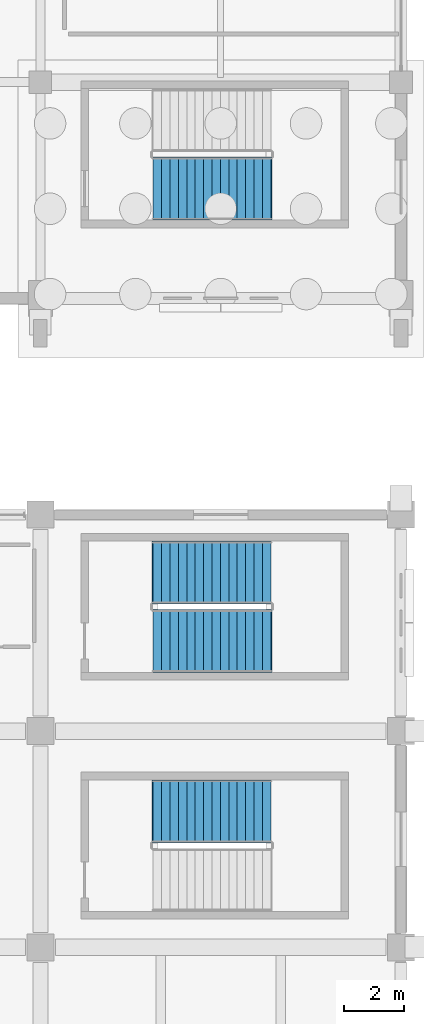
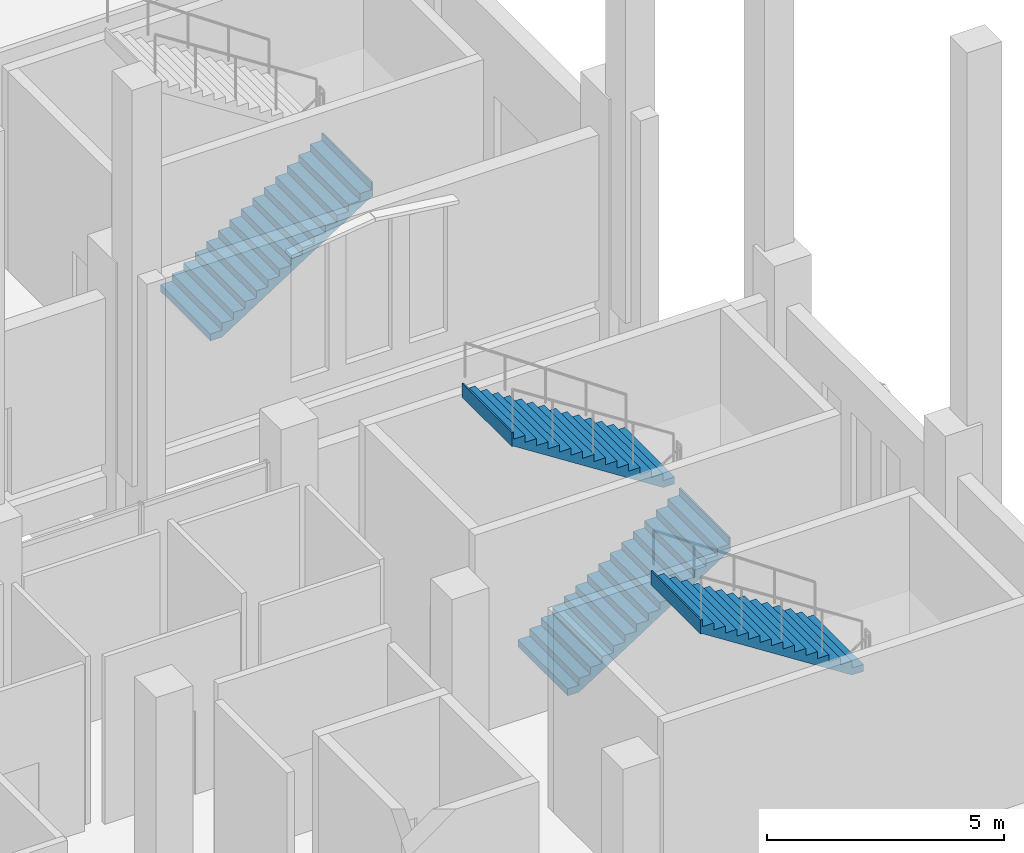
# One storey, part 164 of 192: 4 stair flights, 3 elements without a shape of their own.
"""IFC4 building model written with IfcOpenShell, lengths in metres."""

from ifc_helpers import new_model, si_unit, direction, frame, origin, place, context, subcontext, project, spatial, triangles, material, type_object, element, aggregate, save


model = new_model("IFC4")

# Units and contexts
model_context = context("Model", 3, precision=1e-05, world=origin(), true_north=direction((0.0, 1.0)))
body_context = subcontext(model_context, "Body", "Model", "MODEL_VIEW")
ifc_project = project(units=[si_unit("LENGTHUNIT", "METRE"), si_unit("AREAUNIT", "SQUARE_METRE"), si_unit("VOLUMEUNIT", "CUBIC_METRE"), si_unit("PLANEANGLEUNIT", "RADIAN"), si_unit("MASSUNIT", "GRAM", prefix="KILO")], contexts=[model_context])

# Site, building, storey
site_placement = place(None, origin())
site = spatial("IfcSite", under=ifc_project, at=site_placement, CompositionType="ELEMENT")
building_placement = place(site_placement, origin())
building = spatial("IfcBuilding", under=site, at=building_placement, Name="Cendralis Lancet Convention Centre", CompositionType="ELEMENT")
storey_placement = place(building_placement, origin())
storey = spatial("IfcBuildingStorey", under=building, at=storey_placement, Name="L00", CompositionType="ELEMENT", Elevation=0.0)

# Stair, stair flight
ifc_material = material(Name="Concrete G35 (C35/45)", Category="concrete")
stair_type = type_object("IfcStairType", Name="ARC-ST-CORE", PredefinedType="HALF_TURN_STAIR", material=ifc_material)
stair_1_placement = place(storey_placement, origin())
stair_1 = element("IfcStair", 1, at=stair_1_placement, inside=storey, type_object=stair_type, Name="L00 Protected Exit Stair ST-09", PredefinedType="HALF_TURN_STAIR")
stair_flight_type = type_object("IfcStairFlightType", Name="ARC-SF-CORE", PredefinedType="STRAIGHT", material=ifc_material)
stair_flight_1_placement = place(storey_placement, frame((200.550048828125, 46.85009765625, 0.0), z_axis=(0.0, 0.0, 1.0), x_axis=(1.0, 0.0, 0.0)))
stair_flight_1 = element("IfcStairFlight", 2, at=stair_flight_1_placement, type_object=stair_flight_type, Name="ST-09 flight 1", NumberOfRisers=15, NumberOfTreads=14, PredefinedType="STRAIGHT", RiserHeight=0.18, TreadLength=0.28, context=body_context, shape_type="Tessellation", body=[
    triangles([(0.0, 0.0, 0.09), (0.0, 1.050049, 0.0), (0.0, -1.050049, 0.0), (0.0, -1.050049, 0.18), (0.0, 1.050049, 0.18), (0.138604, 0.0, 0.18), (0.277208, -1.050049, 0.18), (0.277208, 1.050049, 0.18), (0.138604, 0.0, 0.0), (0.277208, -1.050049, 0.0), (0.277208, 1.050049, 0.0), (0.278604, 0.0, 0.18), (0.28, -1.050049, 0.18), (0.28, 1.050049, 0.18), (0.278604, 0.0, 0.000897), (0.28, -1.050049, 0.001795), (0.28, 1.050049, 0.001795), (0.28, 0.0, 0.27), (0.28, -1.050049, 0.36), (0.28, 1.050049, 0.36), (0.42, 0.0, 0.36), (0.56, -1.050049, 0.36), (0.56, 1.050049, 0.36), (0.42, 0.0, 0.091795), (0.56, -1.050049, 0.181795), (0.56, 1.050049, 0.181795), (0.56, 0.0, 0.45), (0.56, -1.050049, 0.54), (0.56, 1.050049, 0.54), (0.7, 0.0, 0.54), (0.84, -1.050049, 0.54), (0.84, 1.050049, 0.54), (0.7, 0.0, 0.271795), (0.84, -1.050049, 0.361795), (0.84, 1.050049, 0.361795), (0.84, 0.0, 0.63), (0.84, -1.050049, 0.72), (0.84, 1.050049, 0.72), (0.98, 0.0, 0.72), (1.12, -1.050049, 0.72), (1.12, 1.050049, 0.72), (0.98, 0.0, 0.451795), (1.12, -1.050049, 0.541795), (1.12, 1.050049, 0.541795), (1.12, 0.0, 0.81), (1.12, -1.050049, 0.9), (1.12, 1.050049, 0.9), (1.26, 0.0, 0.9), (1.4, -1.050049, 0.9), (1.4, 1.050049, 0.9), (1.26, 0.0, 0.631795), (1.4, -1.050049, 0.721795), (1.4, 1.050049, 0.721795), (1.4, 0.0, 0.99), (1.4, -1.050049, 1.08), (1.4, 1.050049, 1.08), (1.54, 0.0, 1.08), (1.68, -1.050049, 1.08), (1.68, 1.050049, 1.08), (1.54, 0.0, 0.811795), (1.68, -1.050049, 0.901795), (1.68, 1.050049, 0.901795), (1.68, 0.0, 1.17), (1.68, -1.050049, 1.26), (1.68, 1.050049, 1.26), (1.82, 0.0, 1.26), (1.96, -1.050049, 1.26), (1.96, 1.050049, 1.26), (1.82, 0.0, 0.991795), (1.96, -1.050049, 1.081795), (1.96, 1.050049, 1.081795), (1.96, 0.0, 1.35), (1.96, -1.050049, 1.44), (1.96, 1.050049, 1.44), (2.1, 0.0, 1.44), (2.24, -1.050049, 1.44), (2.24, 1.050049, 1.44), (2.1, 0.0, 1.171795), (2.24, -1.050049, 1.261795), (2.24, 1.050049, 1.261795), (2.24, 0.0, 1.53), (2.24, -1.050049, 1.62), (2.24, 1.050049, 1.62), (2.38, 0.0, 1.62), (2.52, -1.050049, 1.62), (2.52, 1.050049, 1.62), (2.38, 0.0, 1.351795), (2.52, -1.050049, 1.441795), (2.52, 1.050049, 1.441795), (2.52, 0.0, 1.71), (2.52, -1.050049, 1.8), (2.52, 1.050049, 1.8), (2.66, 0.0, 1.8), (2.8, -1.050049, 1.8), (2.8, 1.050049, 1.8), (2.66, 0.0, 1.531795), (2.8, -1.050049, 1.621795), (2.8, 1.050049, 1.621795), (2.8, 0.0, 1.89), (2.8, -1.050049, 1.98), (2.8, 1.050049, 1.98), (2.94, 0.0, 1.98), (3.08, -1.050049, 1.98), (3.08, 1.050049, 1.98), (2.94, 0.0, 1.711795), (3.08, -1.050049, 1.801795), (3.08, 1.050049, 1.801795), (3.08, 0.0, 2.07), (3.08, -1.050049, 2.16), (3.08, 1.050049, 2.16), (3.22, 0.0, 2.16), (3.36, -1.050049, 2.16), (3.36, 1.050049, 2.16), (3.22, 0.0, 1.891795), (3.36, -1.050049, 1.981795), (3.36, 1.050049, 1.981795), (3.36, 0.0, 2.25), (3.36, -1.050049, 2.34), (3.36, 1.050049, 2.34), (3.5, 0.0, 2.34), (3.64, -1.050049, 2.34), (3.64, 1.050049, 2.34), (3.5, 0.0, 2.071795), (3.64, -1.050049, 2.161795), (3.64, 1.050049, 2.161795), (3.64, 0.0, 2.43), (3.64, -1.050049, 2.52), (3.64, 1.050049, 2.52), (3.78, 0.0, 2.52), (3.92, -1.050049, 2.52), (3.92, 1.050049, 2.52), (3.78, 0.0, 2.251795), (3.92, -1.050049, 2.341795), (3.92, 1.050049, 2.341795), (3.92, 0.0, 2.61), (3.92, -1.050049, 2.7), (3.92, 1.050049, 2.7), (3.94, 0.0, 2.7), (3.96, -1.050049, 2.7), (3.96, 1.050049, 2.7), (3.94, 0.0, 2.341795), (3.96, -1.050049, 2.341795), (3.96, 1.050049, 2.341795), (3.96, 0.0, 2.520898)], [[2, 3, 1], [3, 4, 1], [4, 5, 1], [5, 2, 1], [4, 7, 6], [7, 8, 6], [8, 5, 6], [5, 4, 6], [10, 3, 9], [3, 2, 9], [2, 11, 9], [11, 10, 9], [3, 10, 7], [3, 7, 4], [2, 8, 11], [2, 5, 8], [7, 13, 12], [13, 14, 12], [14, 8, 12], [8, 7, 12], [16, 10, 15], [10, 11, 15], [11, 17, 15], [17, 16, 15], [10, 16, 13], [10, 13, 7], [11, 14, 17], [11, 8, 14], [14, 13, 18], [13, 19, 18], [19, 20, 18], [20, 14, 18], [19, 22, 21], [22, 23, 21], [23, 20, 21], [20, 19, 21], [25, 16, 24], [16, 17, 24], [17, 26, 24], [26, 25, 24], [16, 25, 22], [16, 22, 13], [13, 22, 19], [17, 23, 26], [17, 14, 23], [14, 20, 23], [23, 22, 27], [22, 28, 27], [28, 29, 27], [29, 23, 27], [28, 31, 30], [31, 32, 30], [32, 29, 30], [29, 28, 30], [34, 25, 33], [25, 26, 33], [26, 35, 33], [35, 34, 33], [25, 34, 31], [25, 31, 22], [22, 31, 28], [26, 32, 35], [26, 23, 32], [23, 29, 32], [32, 31, 36], [31, 37, 36], [37, 38, 36], [38, 32, 36], [37, 40, 39], [40, 41, 39], [41, 38, 39], [38, 37, 39], [43, 34, 42], [34, 35, 42], [35, 44, 42], [44, 43, 42], [34, 43, 40], [34, 40, 31], [31, 40, 37], [35, 41, 44], [35, 32, 41], [32, 38, 41], [41, 40, 45], [40, 46, 45], [46, 47, 45], [47, 41, 45], [46, 49, 48], [49, 50, 48], [50, 47, 48], [47, 46, 48], [52, 43, 51], [43, 44, 51], [44, 53, 51], [53, 52, 51], [43, 52, 49], [43, 49, 40], [40, 49, 46], [44, 50, 53], [44, 41, 50], [41, 47, 50], [50, 49, 54], [49, 55, 54], [55, 56, 54], [56, 50, 54], [55, 58, 57], [58, 59, 57], [59, 56, 57], [56, 55, 57], [61, 52, 60], [52, 53, 60], [53, 62, 60], [62, 61, 60], [52, 61, 58], [52, 58, 49], [49, 58, 55], [53, 59, 62], [53, 50, 59], [50, 56, 59], [59, 58, 63], [58, 64, 63], [64, 65, 63], [65, 59, 63], [64, 67, 66], [67, 68, 66], [68, 65, 66], [65, 64, 66], [70, 61, 69], [61, 62, 69], [62, 71, 69], [71, 70, 69], [61, 70, 67], [61, 67, 58], [58, 67, 64], [62, 68, 71], [62, 59, 68], [59, 65, 68], [68, 67, 72], [67, 73, 72], [73, 74, 72], [74, 68, 72], [73, 76, 75], [76, 77, 75], [77, 74, 75], [74, 73, 75], [79, 70, 78], [70, 71, 78], [71, 80, 78], [80, 79, 78], [70, 79, 76], [70, 76, 67], [67, 76, 73], [71, 77, 80], [71, 68, 77], [68, 74, 77], [77, 76, 81], [76, 82, 81], [82, 83, 81], [83, 77, 81], [82, 85, 84], [85, 86, 84], [86, 83, 84], [83, 82, 84], [88, 79, 87], [79, 80, 87], [80, 89, 87], [89, 88, 87], [79, 88, 85], [79, 85, 76], [76, 85, 82], [80, 86, 89], [80, 77, 86], [77, 83, 86], [86, 85, 90], [85, 91, 90], [91, 92, 90], [92, 86, 90], [91, 94, 93], [94, 95, 93], [95, 92, 93], [92, 91, 93], [97, 88, 96], [88, 89, 96], [89, 98, 96], [98, 97, 96], [88, 97, 94], [88, 94, 85], [85, 94, 91], [89, 95, 98], [89, 86, 95], [86, 92, 95], [95, 94, 99], [94, 100, 99], [100, 101, 99], [101, 95, 99], [100, 103, 102], [103, 104, 102], [104, 101, 102], [101, 100, 102], [106, 97, 105], [97, 98, 105], [98, 107, 105], [107, 106, 105], [97, 106, 103], [97, 103, 94], [94, 103, 100], [98, 104, 107], [98, 95, 104], [95, 101, 104], [104, 103, 108], [103, 109, 108], [109, 110, 108], [110, 104, 108], [109, 112, 111], [112, 113, 111], [113, 110, 111], [110, 109, 111], [115, 106, 114], [106, 107, 114], [107, 116, 114], [116, 115, 114], [106, 115, 112], [106, 112, 103], [103, 112, 109], [107, 113, 116], [107, 104, 113], [104, 110, 113], [113, 112, 117], [112, 118, 117], [118, 119, 117], [119, 113, 117], [118, 121, 120], [121, 122, 120], [122, 119, 120], [119, 118, 120], [124, 115, 123], [115, 116, 123], [116, 125, 123], [125, 124, 123], [115, 124, 121], [115, 121, 112], [112, 121, 118], [116, 122, 125], [116, 113, 122], [113, 119, 122], [122, 121, 126], [121, 127, 126], [127, 128, 126], [128, 122, 126], [127, 130, 129], [130, 131, 129], [131, 128, 129], [128, 127, 129], [133, 124, 132], [124, 125, 132], [125, 134, 132], [134, 133, 132], [124, 133, 130], [124, 130, 121], [121, 130, 127], [125, 131, 134], [125, 122, 131], [122, 128, 131], [131, 130, 135], [130, 136, 135], [136, 137, 135], [137, 131, 135], [136, 139, 138], [139, 140, 138], [140, 137, 138], [137, 136, 138], [142, 133, 141], [133, 134, 141], [134, 143, 141], [143, 142, 141], [133, 142, 139], [133, 139, 130], [130, 139, 136], [134, 140, 143], [134, 131, 140], [131, 137, 140], [142, 143, 144], [143, 140, 144], [140, 139, 144], [139, 142, 144]], closed=True),
])
aggregate(stair_1, [stair_flight_1])

stair_2_placement = place(storey_placement, origin())
stair_2 = element("IfcStair", 3, at=stair_2_placement, inside=storey, type_object=stair_type, Name="L00 Protected Exit Stair ST-15", PredefinedType="HALF_TURN_STAIR")
stair_flight_2_placement = place(storey_placement, frame((204.469970703125, 26.1298828125, 2.699951171875), z_axis=(0.0, 0.0, 1.0), x_axis=(-1.0, 0.0, 0.0)))
stair_flight_2 = element("IfcStairFlight", 4, at=stair_flight_2_placement, type_object=stair_flight_type, Name="ST-15 flight 2", NumberOfRisers=15, NumberOfTreads=14, PredefinedType="STRAIGHT", RiserHeight=0.18, TreadLength=0.28, context=body_context, shape_type="Tessellation", body=[
    triangles([(0.0, 0.0, 0.09), (0.0, 1.050049, 0.0), (0.0, -1.050049, 0.0), (0.0, -1.050049, 0.18), (0.0, 1.050049, 0.18), (0.138604, 0.0, 0.18), (0.277208, -1.050049, 0.18), (0.277208, 1.050049, 0.18), (0.138604, 0.0, 0.0), (0.277208, -1.050049, 0.0), (0.277208, 1.050049, 0.0), (0.278604, 0.0, 0.18), (0.28, -1.050049, 0.18), (0.28, 1.050049, 0.18), (0.278604, 0.0, 0.000897), (0.28, -1.050049, 0.001795), (0.28, 1.050049, 0.001795), (0.28, 0.0, 0.27), (0.28, -1.050049, 0.36), (0.28, 1.050049, 0.36), (0.42, 0.0, 0.36), (0.56, -1.050049, 0.36), (0.56, 1.050049, 0.36), (0.42, 0.0, 0.091795), (0.56, -1.050049, 0.181795), (0.56, 1.050049, 0.181795), (0.56, 0.0, 0.45), (0.56, -1.050049, 0.54), (0.56, 1.050049, 0.54), (0.7, 0.0, 0.54), (0.84, -1.050049, 0.54), (0.84, 1.050049, 0.54), (0.7, 0.0, 0.271795), (0.84, -1.050049, 0.361795), (0.84, 1.050049, 0.361795), (0.84, 0.0, 0.63), (0.84, -1.050049, 0.72), (0.84, 1.050049, 0.72), (0.98, 0.0, 0.72), (1.12, -1.050049, 0.72), (1.12, 1.050049, 0.72), (0.98, 0.0, 0.451795), (1.12, -1.050049, 0.541795), (1.12, 1.050049, 0.541795), (1.12, 0.0, 0.81), (1.12, -1.050049, 0.9), (1.12, 1.050049, 0.9), (1.26, 0.0, 0.9), (1.4, -1.050049, 0.9), (1.4, 1.050049, 0.9), (1.26, 0.0, 0.631795), (1.4, -1.050049, 0.721795), (1.4, 1.050049, 0.721795), (1.4, 0.0, 0.99), (1.4, -1.050049, 1.08), (1.4, 1.050049, 1.08), (1.54, 0.0, 1.08), (1.68, -1.050049, 1.08), (1.68, 1.050049, 1.08), (1.54, 0.0, 0.811795), (1.68, -1.050049, 0.901795), (1.68, 1.050049, 0.901795), (1.68, 0.0, 1.17), (1.68, -1.050049, 1.26), (1.68, 1.050049, 1.26), (1.82, 0.0, 1.26), (1.96, -1.050049, 1.26), (1.96, 1.050049, 1.26), (1.82, 0.0, 0.991795), (1.96, -1.050049, 1.081795), (1.96, 1.050049, 1.081795), (1.96, 0.0, 1.35), (1.96, -1.050049, 1.44), (1.96, 1.050049, 1.44), (2.1, 0.0, 1.44), (2.24, -1.050049, 1.44), (2.24, 1.050049, 1.44), (2.1, 0.0, 1.171795), (2.24, -1.050049, 1.261795), (2.24, 1.050049, 1.261795), (2.24, 0.0, 1.53), (2.24, -1.050049, 1.62), (2.24, 1.050049, 1.62), (2.38, 0.0, 1.62), (2.52, -1.050049, 1.62), (2.52, 1.050049, 1.62), (2.38, 0.0, 1.351795), (2.52, -1.050049, 1.441795), (2.52, 1.050049, 1.441795), (2.52, 0.0, 1.71), (2.52, -1.050049, 1.8), (2.52, 1.050049, 1.8), (2.66, 0.0, 1.8), (2.8, -1.050049, 1.8), (2.8, 1.050049, 1.8), (2.66, 0.0, 1.531795), (2.8, -1.050049, 1.621795), (2.8, 1.050049, 1.621795), (2.8, 0.0, 1.89), (2.8, -1.050049, 1.98), (2.8, 1.050049, 1.98), (2.94, 0.0, 1.98), (3.08, -1.050049, 1.98), (3.08, 1.050049, 1.98), (2.94, 0.0, 1.711795), (3.08, -1.050049, 1.801795), (3.08, 1.050049, 1.801795), (3.08, 0.0, 2.07), (3.08, -1.050049, 2.16), (3.08, 1.050049, 2.16), (3.22, 0.0, 2.16), (3.36, -1.050049, 2.16), (3.36, 1.050049, 2.16), (3.22, 0.0, 1.891795), (3.36, -1.050049, 1.981795), (3.36, 1.050049, 1.981795), (3.36, 0.0, 2.25), (3.36, -1.050049, 2.34), (3.36, 1.050049, 2.34), (3.5, 0.0, 2.34), (3.64, -1.050049, 2.34), (3.64, 1.050049, 2.34), (3.5, 0.0, 2.071795), (3.64, -1.050049, 2.161795), (3.64, 1.050049, 2.161795), (3.64, 0.0, 2.43), (3.64, -1.050049, 2.52), (3.64, 1.050049, 2.52), (3.78, 0.0, 2.52), (3.92, -1.050049, 2.52), (3.92, 1.050049, 2.52), (3.78, 0.0, 2.251795), (3.92, -1.050049, 2.341795), (3.92, 1.050049, 2.341795), (3.92, 0.0, 2.61), (3.92, -1.050049, 2.7), (3.92, 1.050049, 2.7), (3.94, 0.0, 2.7), (3.96, -1.050049, 2.7), (3.96, 1.050049, 2.7), (3.94, 0.0, 2.341795), (3.96, -1.050049, 2.341795), (3.96, 1.050049, 2.341795), (3.96, 0.0, 2.520898)], [[2, 3, 1], [3, 4, 1], [4, 5, 1], [5, 2, 1], [4, 7, 6], [7, 8, 6], [8, 5, 6], [5, 4, 6], [10, 3, 9], [3, 2, 9], [2, 11, 9], [11, 10, 9], [3, 10, 7], [3, 7, 4], [2, 8, 11], [2, 5, 8], [7, 13, 12], [13, 14, 12], [14, 8, 12], [8, 7, 12], [16, 10, 15], [10, 11, 15], [11, 17, 15], [17, 16, 15], [10, 16, 13], [10, 13, 7], [11, 14, 17], [11, 8, 14], [14, 13, 18], [13, 19, 18], [19, 20, 18], [20, 14, 18], [19, 22, 21], [22, 23, 21], [23, 20, 21], [20, 19, 21], [25, 16, 24], [16, 17, 24], [17, 26, 24], [26, 25, 24], [16, 25, 22], [16, 22, 13], [13, 22, 19], [17, 23, 26], [17, 14, 23], [14, 20, 23], [23, 22, 27], [22, 28, 27], [28, 29, 27], [29, 23, 27], [28, 31, 30], [31, 32, 30], [32, 29, 30], [29, 28, 30], [34, 25, 33], [25, 26, 33], [26, 35, 33], [35, 34, 33], [25, 34, 31], [25, 31, 22], [22, 31, 28], [26, 32, 35], [26, 23, 32], [23, 29, 32], [32, 31, 36], [31, 37, 36], [37, 38, 36], [38, 32, 36], [37, 40, 39], [40, 41, 39], [41, 38, 39], [38, 37, 39], [43, 34, 42], [34, 35, 42], [35, 44, 42], [44, 43, 42], [34, 43, 40], [34, 40, 31], [31, 40, 37], [35, 41, 44], [35, 32, 41], [32, 38, 41], [41, 40, 45], [40, 46, 45], [46, 47, 45], [47, 41, 45], [46, 49, 48], [49, 50, 48], [50, 47, 48], [47, 46, 48], [52, 43, 51], [43, 44, 51], [44, 53, 51], [53, 52, 51], [43, 52, 49], [43, 49, 40], [40, 49, 46], [44, 50, 53], [44, 41, 50], [41, 47, 50], [50, 49, 54], [49, 55, 54], [55, 56, 54], [56, 50, 54], [55, 58, 57], [58, 59, 57], [59, 56, 57], [56, 55, 57], [61, 52, 60], [52, 53, 60], [53, 62, 60], [62, 61, 60], [52, 61, 58], [52, 58, 49], [49, 58, 55], [53, 59, 62], [53, 50, 59], [50, 56, 59], [59, 58, 63], [58, 64, 63], [64, 65, 63], [65, 59, 63], [64, 67, 66], [67, 68, 66], [68, 65, 66], [65, 64, 66], [70, 61, 69], [61, 62, 69], [62, 71, 69], [71, 70, 69], [61, 70, 67], [61, 67, 58], [58, 67, 64], [62, 68, 71], [62, 59, 68], [59, 65, 68], [68, 67, 72], [67, 73, 72], [73, 74, 72], [74, 68, 72], [73, 76, 75], [76, 77, 75], [77, 74, 75], [74, 73, 75], [79, 70, 78], [70, 71, 78], [71, 80, 78], [80, 79, 78], [70, 79, 76], [70, 76, 67], [67, 76, 73], [71, 77, 80], [71, 68, 77], [68, 74, 77], [77, 76, 81], [76, 82, 81], [82, 83, 81], [83, 77, 81], [82, 85, 84], [85, 86, 84], [86, 83, 84], [83, 82, 84], [88, 79, 87], [79, 80, 87], [80, 89, 87], [89, 88, 87], [79, 88, 85], [79, 85, 76], [76, 85, 82], [80, 86, 89], [80, 77, 86], [77, 83, 86], [86, 85, 90], [85, 91, 90], [91, 92, 90], [92, 86, 90], [91, 94, 93], [94, 95, 93], [95, 92, 93], [92, 91, 93], [97, 88, 96], [88, 89, 96], [89, 98, 96], [98, 97, 96], [88, 97, 94], [88, 94, 85], [85, 94, 91], [89, 95, 98], [89, 86, 95], [86, 92, 95], [95, 94, 99], [94, 100, 99], [100, 101, 99], [101, 95, 99], [100, 103, 102], [103, 104, 102], [104, 101, 102], [101, 100, 102], [106, 97, 105], [97, 98, 105], [98, 107, 105], [107, 106, 105], [97, 106, 103], [97, 103, 94], [94, 103, 100], [98, 104, 107], [98, 95, 104], [95, 101, 104], [104, 103, 108], [103, 109, 108], [109, 110, 108], [110, 104, 108], [109, 112, 111], [112, 113, 111], [113, 110, 111], [110, 109, 111], [115, 106, 114], [106, 107, 114], [107, 116, 114], [116, 115, 114], [106, 115, 112], [106, 112, 103], [103, 112, 109], [107, 113, 116], [107, 104, 113], [104, 110, 113], [113, 112, 117], [112, 118, 117], [118, 119, 117], [119, 113, 117], [118, 121, 120], [121, 122, 120], [122, 119, 120], [119, 118, 120], [124, 115, 123], [115, 116, 123], [116, 125, 123], [125, 124, 123], [115, 124, 121], [115, 121, 112], [112, 121, 118], [116, 122, 125], [116, 113, 122], [113, 119, 122], [122, 121, 126], [121, 127, 126], [127, 128, 126], [128, 122, 126], [127, 130, 129], [130, 131, 129], [131, 128, 129], [128, 127, 129], [133, 124, 132], [124, 125, 132], [125, 134, 132], [134, 133, 132], [124, 133, 130], [124, 130, 121], [121, 130, 127], [125, 131, 134], [125, 122, 131], [122, 128, 131], [131, 130, 135], [130, 136, 135], [136, 137, 135], [137, 131, 135], [136, 139, 138], [139, 140, 138], [140, 137, 138], [137, 136, 138], [142, 133, 141], [133, 134, 141], [134, 143, 141], [143, 142, 141], [133, 142, 139], [133, 139, 130], [130, 139, 136], [134, 140, 143], [134, 131, 140], [131, 137, 140], [142, 143, 144], [143, 140, 144], [140, 139, 144], [139, 142, 144]], closed=True),
])
aggregate(stair_2, [stair_flight_2])

# Stair, stair flights
stair_3_placement = place(storey_placement, origin())
stair_3 = element("IfcStair", 5, at=stair_3_placement, inside=storey, type_object=stair_type, Name="L00 Protected Exit Stair ST-16", PredefinedType="HALF_TURN_STAIR")
stair_flight_3_placement = place(storey_placement, frame((200.550048828125, 31.800048828125, 0.0), z_axis=(0.0, 0.0, 1.0), x_axis=(1.0, 0.0, 0.0)))
stair_flight_3 = element("IfcStairFlight", 6, at=stair_flight_3_placement, type_object=stair_flight_type, Name="ST-16 flight 1", NumberOfRisers=15, NumberOfTreads=14, PredefinedType="STRAIGHT", RiserHeight=0.18, TreadLength=0.28, context=body_context, shape_type="Tessellation", body=[
    triangles([(0.0, 0.0, 0.09), (0.0, 1.050049, 0.0), (0.0, -1.050049, 0.0), (0.0, -1.050049, 0.18), (0.0, 1.050049, 0.18), (0.138604, 0.0, 0.18), (0.277208, -1.050049, 0.18), (0.277208, 1.050049, 0.18), (0.138604, 0.0, 0.0), (0.277208, -1.050049, 0.0), (0.277208, 1.050049, 0.0), (0.278604, 0.0, 0.18), (0.28, -1.050049, 0.18), (0.28, 1.050049, 0.18), (0.278604, 0.0, 0.000897), (0.28, -1.050049, 0.001795), (0.28, 1.050049, 0.001795), (0.28, 0.0, 0.27), (0.28, -1.050049, 0.36), (0.28, 1.050049, 0.36), (0.42, 0.0, 0.36), (0.56, -1.050049, 0.36), (0.56, 1.050049, 0.36), (0.42, 0.0, 0.091795), (0.56, -1.050049, 0.181795), (0.56, 1.050049, 0.181795), (0.56, 0.0, 0.45), (0.56, -1.050049, 0.54), (0.56, 1.050049, 0.54), (0.7, 0.0, 0.54), (0.84, -1.050049, 0.54), (0.84, 1.050049, 0.54), (0.7, 0.0, 0.271795), (0.84, -1.050049, 0.361795), (0.84, 1.050049, 0.361795), (0.84, 0.0, 0.63), (0.84, -1.050049, 0.72), (0.84, 1.050049, 0.72), (0.98, 0.0, 0.72), (1.12, -1.050049, 0.72), (1.12, 1.050049, 0.72), (0.98, 0.0, 0.451795), (1.12, -1.050049, 0.541795), (1.12, 1.050049, 0.541795), (1.12, 0.0, 0.81), (1.12, -1.050049, 0.9), (1.12, 1.050049, 0.9), (1.26, 0.0, 0.9), (1.4, -1.050049, 0.9), (1.4, 1.050049, 0.9), (1.26, 0.0, 0.631795), (1.4, -1.050049, 0.721795), (1.4, 1.050049, 0.721795), (1.4, 0.0, 0.99), (1.4, -1.050049, 1.08), (1.4, 1.050049, 1.08), (1.54, 0.0, 1.08), (1.68, -1.050049, 1.08), (1.68, 1.050049, 1.08), (1.54, 0.0, 0.811795), (1.68, -1.050049, 0.901795), (1.68, 1.050049, 0.901795), (1.68, 0.0, 1.17), (1.68, -1.050049, 1.26), (1.68, 1.050049, 1.26), (1.82, 0.0, 1.26), (1.96, -1.050049, 1.26), (1.96, 1.050049, 1.26), (1.82, 0.0, 0.991795), (1.96, -1.050049, 1.081795), (1.96, 1.050049, 1.081795), (1.96, 0.0, 1.35), (1.96, -1.050049, 1.44), (1.96, 1.050049, 1.44), (2.1, 0.0, 1.44), (2.24, -1.050049, 1.44), (2.24, 1.050049, 1.44), (2.1, 0.0, 1.171795), (2.24, -1.050049, 1.261795), (2.24, 1.050049, 1.261795), (2.24, 0.0, 1.53), (2.24, -1.050049, 1.62), (2.24, 1.050049, 1.62), (2.38, 0.0, 1.62), (2.52, -1.050049, 1.62), (2.52, 1.050049, 1.62), (2.38, 0.0, 1.351795), (2.52, -1.050049, 1.441795), (2.52, 1.050049, 1.441795), (2.52, 0.0, 1.71), (2.52, -1.050049, 1.8), (2.52, 1.050049, 1.8), (2.66, 0.0, 1.8), (2.8, -1.050049, 1.8), (2.8, 1.050049, 1.8), (2.66, 0.0, 1.531795), (2.8, -1.050049, 1.621795), (2.8, 1.050049, 1.621795), (2.8, 0.0, 1.89), (2.8, -1.050049, 1.98), (2.8, 1.050049, 1.98), (2.94, 0.0, 1.98), (3.08, -1.050049, 1.98), (3.08, 1.050049, 1.98), (2.94, 0.0, 1.711795), (3.08, -1.050049, 1.801795), (3.08, 1.050049, 1.801795), (3.08, 0.0, 2.07), (3.08, -1.050049, 2.16), (3.08, 1.050049, 2.16), (3.22, 0.0, 2.16), (3.36, -1.050049, 2.16), (3.36, 1.050049, 2.16), (3.22, 0.0, 1.891795), (3.36, -1.050049, 1.981795), (3.36, 1.050049, 1.981795), (3.36, 0.0, 2.25), (3.36, -1.050049, 2.34), (3.36, 1.050049, 2.34), (3.5, 0.0, 2.34), (3.64, -1.050049, 2.34), (3.64, 1.050049, 2.34), (3.5, 0.0, 2.071795), (3.64, -1.050049, 2.161795), (3.64, 1.050049, 2.161795), (3.64, 0.0, 2.43), (3.64, -1.050049, 2.52), (3.64, 1.050049, 2.52), (3.78, 0.0, 2.52), (3.92, -1.050049, 2.52), (3.92, 1.050049, 2.52), (3.78, 0.0, 2.251795), (3.92, -1.050049, 2.341795), (3.92, 1.050049, 2.341795), (3.92, 0.0, 2.61), (3.92, -1.050049, 2.7), (3.92, 1.050049, 2.7), (3.94, 0.0, 2.7), (3.96, -1.050049, 2.7), (3.96, 1.050049, 2.7), (3.94, 0.0, 2.341795), (3.96, -1.050049, 2.341795), (3.96, 1.050049, 2.341795), (3.96, 0.0, 2.520898)], [[2, 3, 1], [3, 4, 1], [4, 5, 1], [5, 2, 1], [4, 7, 6], [7, 8, 6], [8, 5, 6], [5, 4, 6], [10, 3, 9], [3, 2, 9], [2, 11, 9], [11, 10, 9], [3, 10, 7], [3, 7, 4], [2, 8, 11], [2, 5, 8], [7, 13, 12], [13, 14, 12], [14, 8, 12], [8, 7, 12], [16, 10, 15], [10, 11, 15], [11, 17, 15], [17, 16, 15], [10, 16, 13], [10, 13, 7], [11, 14, 17], [11, 8, 14], [14, 13, 18], [13, 19, 18], [19, 20, 18], [20, 14, 18], [19, 22, 21], [22, 23, 21], [23, 20, 21], [20, 19, 21], [25, 16, 24], [16, 17, 24], [17, 26, 24], [26, 25, 24], [16, 25, 22], [16, 22, 13], [13, 22, 19], [17, 23, 26], [17, 14, 23], [14, 20, 23], [23, 22, 27], [22, 28, 27], [28, 29, 27], [29, 23, 27], [28, 31, 30], [31, 32, 30], [32, 29, 30], [29, 28, 30], [34, 25, 33], [25, 26, 33], [26, 35, 33], [35, 34, 33], [25, 34, 31], [25, 31, 22], [22, 31, 28], [26, 32, 35], [26, 23, 32], [23, 29, 32], [32, 31, 36], [31, 37, 36], [37, 38, 36], [38, 32, 36], [37, 40, 39], [40, 41, 39], [41, 38, 39], [38, 37, 39], [43, 34, 42], [34, 35, 42], [35, 44, 42], [44, 43, 42], [34, 43, 40], [34, 40, 31], [31, 40, 37], [35, 41, 44], [35, 32, 41], [32, 38, 41], [41, 40, 45], [40, 46, 45], [46, 47, 45], [47, 41, 45], [46, 49, 48], [49, 50, 48], [50, 47, 48], [47, 46, 48], [52, 43, 51], [43, 44, 51], [44, 53, 51], [53, 52, 51], [43, 52, 49], [43, 49, 40], [40, 49, 46], [44, 50, 53], [44, 41, 50], [41, 47, 50], [50, 49, 54], [49, 55, 54], [55, 56, 54], [56, 50, 54], [55, 58, 57], [58, 59, 57], [59, 56, 57], [56, 55, 57], [61, 52, 60], [52, 53, 60], [53, 62, 60], [62, 61, 60], [52, 61, 58], [52, 58, 49], [49, 58, 55], [53, 59, 62], [53, 50, 59], [50, 56, 59], [59, 58, 63], [58, 64, 63], [64, 65, 63], [65, 59, 63], [64, 67, 66], [67, 68, 66], [68, 65, 66], [65, 64, 66], [70, 61, 69], [61, 62, 69], [62, 71, 69], [71, 70, 69], [61, 70, 67], [61, 67, 58], [58, 67, 64], [62, 68, 71], [62, 59, 68], [59, 65, 68], [68, 67, 72], [67, 73, 72], [73, 74, 72], [74, 68, 72], [73, 76, 75], [76, 77, 75], [77, 74, 75], [74, 73, 75], [79, 70, 78], [70, 71, 78], [71, 80, 78], [80, 79, 78], [70, 79, 76], [70, 76, 67], [67, 76, 73], [71, 77, 80], [71, 68, 77], [68, 74, 77], [77, 76, 81], [76, 82, 81], [82, 83, 81], [83, 77, 81], [82, 85, 84], [85, 86, 84], [86, 83, 84], [83, 82, 84], [88, 79, 87], [79, 80, 87], [80, 89, 87], [89, 88, 87], [79, 88, 85], [79, 85, 76], [76, 85, 82], [80, 86, 89], [80, 77, 86], [77, 83, 86], [86, 85, 90], [85, 91, 90], [91, 92, 90], [92, 86, 90], [91, 94, 93], [94, 95, 93], [95, 92, 93], [92, 91, 93], [97, 88, 96], [88, 89, 96], [89, 98, 96], [98, 97, 96], [88, 97, 94], [88, 94, 85], [85, 94, 91], [89, 95, 98], [89, 86, 95], [86, 92, 95], [95, 94, 99], [94, 100, 99], [100, 101, 99], [101, 95, 99], [100, 103, 102], [103, 104, 102], [104, 101, 102], [101, 100, 102], [106, 97, 105], [97, 98, 105], [98, 107, 105], [107, 106, 105], [97, 106, 103], [97, 103, 94], [94, 103, 100], [98, 104, 107], [98, 95, 104], [95, 101, 104], [104, 103, 108], [103, 109, 108], [109, 110, 108], [110, 104, 108], [109, 112, 111], [112, 113, 111], [113, 110, 111], [110, 109, 111], [115, 106, 114], [106, 107, 114], [107, 116, 114], [116, 115, 114], [106, 115, 112], [106, 112, 103], [103, 112, 109], [107, 113, 116], [107, 104, 113], [104, 110, 113], [113, 112, 117], [112, 118, 117], [118, 119, 117], [119, 113, 117], [118, 121, 120], [121, 122, 120], [122, 119, 120], [119, 118, 120], [124, 115, 123], [115, 116, 123], [116, 125, 123], [125, 124, 123], [115, 124, 121], [115, 121, 112], [112, 121, 118], [116, 122, 125], [116, 113, 122], [113, 119, 122], [122, 121, 126], [121, 127, 126], [127, 128, 126], [128, 122, 126], [127, 130, 129], [130, 131, 129], [131, 128, 129], [128, 127, 129], [133, 124, 132], [124, 125, 132], [125, 134, 132], [134, 133, 132], [124, 133, 130], [124, 130, 121], [121, 130, 127], [125, 131, 134], [125, 122, 131], [122, 128, 131], [131, 130, 135], [130, 136, 135], [136, 137, 135], [137, 131, 135], [136, 139, 138], [139, 140, 138], [140, 137, 138], [137, 136, 138], [142, 133, 141], [133, 134, 141], [134, 143, 141], [143, 142, 141], [133, 142, 139], [133, 139, 130], [130, 139, 136], [134, 140, 143], [134, 131, 140], [131, 137, 140], [142, 143, 144], [143, 140, 144], [140, 139, 144], [139, 142, 144]], closed=True),
])
stair_flight_4_placement = place(storey_placement, frame((204.469970703125, 34.080078125, 2.699951171875), z_axis=(0.0, 0.0, 1.0), x_axis=(-1.0, 0.0, 0.0)))
stair_flight_4 = element("IfcStairFlight", 7, at=stair_flight_4_placement, type_object=stair_flight_type, Name="ST-16 flight 2", NumberOfRisers=15, NumberOfTreads=14, PredefinedType="STRAIGHT", RiserHeight=0.18, TreadLength=0.28, context=body_context, shape_type="Tessellation", body=[
    triangles([(0.0, 0.0, 0.09), (0.0, 1.050049, 0.0), (0.0, -1.050049, 0.0), (0.0, -1.050049, 0.18), (0.0, 1.050049, 0.18), (0.138604, 0.0, 0.18), (0.277208, -1.050049, 0.18), (0.277208, 1.050049, 0.18), (0.138604, 0.0, 0.0), (0.277208, -1.050049, 0.0), (0.277208, 1.050049, 0.0), (0.278604, 0.0, 0.18), (0.28, -1.050049, 0.18), (0.28, 1.050049, 0.18), (0.278604, 0.0, 0.000897), (0.28, -1.050049, 0.001795), (0.28, 1.050049, 0.001795), (0.28, 0.0, 0.27), (0.28, -1.050049, 0.36), (0.28, 1.050049, 0.36), (0.42, 0.0, 0.36), (0.56, -1.050049, 0.36), (0.56, 1.050049, 0.36), (0.42, 0.0, 0.091795), (0.56, -1.050049, 0.181795), (0.56, 1.050049, 0.181795), (0.56, 0.0, 0.45), (0.56, -1.050049, 0.54), (0.56, 1.050049, 0.54), (0.7, 0.0, 0.54), (0.84, -1.050049, 0.54), (0.84, 1.050049, 0.54), (0.7, 0.0, 0.271795), (0.84, -1.050049, 0.361795), (0.84, 1.050049, 0.361795), (0.84, 0.0, 0.63), (0.84, -1.050049, 0.72), (0.84, 1.050049, 0.72), (0.98, 0.0, 0.72), (1.12, -1.050049, 0.72), (1.12, 1.050049, 0.72), (0.98, 0.0, 0.451795), (1.12, -1.050049, 0.541795), (1.12, 1.050049, 0.541795), (1.12, 0.0, 0.81), (1.12, -1.050049, 0.9), (1.12, 1.050049, 0.9), (1.26, 0.0, 0.9), (1.4, -1.050049, 0.9), (1.4, 1.050049, 0.9), (1.26, 0.0, 0.631795), (1.4, -1.050049, 0.721795), (1.4, 1.050049, 0.721795), (1.4, 0.0, 0.99), (1.4, -1.050049, 1.08), (1.4, 1.050049, 1.08), (1.54, 0.0, 1.08), (1.68, -1.050049, 1.08), (1.68, 1.050049, 1.08), (1.54, 0.0, 0.811795), (1.68, -1.050049, 0.901795), (1.68, 1.050049, 0.901795), (1.68, 0.0, 1.17), (1.68, -1.050049, 1.26), (1.68, 1.050049, 1.26), (1.82, 0.0, 1.26), (1.96, -1.050049, 1.26), (1.96, 1.050049, 1.26), (1.82, 0.0, 0.991795), (1.96, -1.050049, 1.081795), (1.96, 1.050049, 1.081795), (1.96, 0.0, 1.35), (1.96, -1.050049, 1.44), (1.96, 1.050049, 1.44), (2.1, 0.0, 1.44), (2.24, -1.050049, 1.44), (2.24, 1.050049, 1.44), (2.1, 0.0, 1.171795), (2.24, -1.050049, 1.261795), (2.24, 1.050049, 1.261795), (2.24, 0.0, 1.53), (2.24, -1.050049, 1.62), (2.24, 1.050049, 1.62), (2.38, 0.0, 1.62), (2.52, -1.050049, 1.62), (2.52, 1.050049, 1.62), (2.38, 0.0, 1.351795), (2.52, -1.050049, 1.441795), (2.52, 1.050049, 1.441795), (2.52, 0.0, 1.71), (2.52, -1.050049, 1.8), (2.52, 1.050049, 1.8), (2.66, 0.0, 1.8), (2.8, -1.050049, 1.8), (2.8, 1.050049, 1.8), (2.66, 0.0, 1.531795), (2.8, -1.050049, 1.621795), (2.8, 1.050049, 1.621795), (2.8, 0.0, 1.89), (2.8, -1.050049, 1.98), (2.8, 1.050049, 1.98), (2.94, 0.0, 1.98), (3.08, -1.050049, 1.98), (3.08, 1.050049, 1.98), (2.94, 0.0, 1.711795), (3.08, -1.050049, 1.801795), (3.08, 1.050049, 1.801795), (3.08, 0.0, 2.07), (3.08, -1.050049, 2.16), (3.08, 1.050049, 2.16), (3.22, 0.0, 2.16), (3.36, -1.050049, 2.16), (3.36, 1.050049, 2.16), (3.22, 0.0, 1.891795), (3.36, -1.050049, 1.981795), (3.36, 1.050049, 1.981795), (3.36, 0.0, 2.25), (3.36, -1.050049, 2.34), (3.36, 1.050049, 2.34), (3.5, 0.0, 2.34), (3.64, -1.050049, 2.34), (3.64, 1.050049, 2.34), (3.5, 0.0, 2.071795), (3.64, -1.050049, 2.161795), (3.64, 1.050049, 2.161795), (3.64, 0.0, 2.43), (3.64, -1.050049, 2.52), (3.64, 1.050049, 2.52), (3.78, 0.0, 2.52), (3.92, -1.050049, 2.52), (3.92, 1.050049, 2.52), (3.78, 0.0, 2.251795), (3.92, -1.050049, 2.341795), (3.92, 1.050049, 2.341795), (3.92, 0.0, 2.61), (3.92, -1.050049, 2.7), (3.92, 1.050049, 2.7), (3.94, 0.0, 2.7), (3.96, -1.050049, 2.7), (3.96, 1.050049, 2.7), (3.94, 0.0, 2.341795), (3.96, -1.050049, 2.341795), (3.96, 1.050049, 2.341795), (3.96, 0.0, 2.520898)], [[2, 3, 1], [3, 4, 1], [4, 5, 1], [5, 2, 1], [4, 7, 6], [7, 8, 6], [8, 5, 6], [5, 4, 6], [10, 3, 9], [3, 2, 9], [2, 11, 9], [11, 10, 9], [3, 10, 7], [3, 7, 4], [2, 8, 11], [2, 5, 8], [7, 13, 12], [13, 14, 12], [14, 8, 12], [8, 7, 12], [16, 10, 15], [10, 11, 15], [11, 17, 15], [17, 16, 15], [10, 16, 13], [10, 13, 7], [11, 14, 17], [11, 8, 14], [14, 13, 18], [13, 19, 18], [19, 20, 18], [20, 14, 18], [19, 22, 21], [22, 23, 21], [23, 20, 21], [20, 19, 21], [25, 16, 24], [16, 17, 24], [17, 26, 24], [26, 25, 24], [16, 25, 22], [16, 22, 13], [13, 22, 19], [17, 23, 26], [17, 14, 23], [14, 20, 23], [23, 22, 27], [22, 28, 27], [28, 29, 27], [29, 23, 27], [28, 31, 30], [31, 32, 30], [32, 29, 30], [29, 28, 30], [34, 25, 33], [25, 26, 33], [26, 35, 33], [35, 34, 33], [25, 34, 31], [25, 31, 22], [22, 31, 28], [26, 32, 35], [26, 23, 32], [23, 29, 32], [32, 31, 36], [31, 37, 36], [37, 38, 36], [38, 32, 36], [37, 40, 39], [40, 41, 39], [41, 38, 39], [38, 37, 39], [43, 34, 42], [34, 35, 42], [35, 44, 42], [44, 43, 42], [34, 43, 40], [34, 40, 31], [31, 40, 37], [35, 41, 44], [35, 32, 41], [32, 38, 41], [41, 40, 45], [40, 46, 45], [46, 47, 45], [47, 41, 45], [46, 49, 48], [49, 50, 48], [50, 47, 48], [47, 46, 48], [52, 43, 51], [43, 44, 51], [44, 53, 51], [53, 52, 51], [43, 52, 49], [43, 49, 40], [40, 49, 46], [44, 50, 53], [44, 41, 50], [41, 47, 50], [50, 49, 54], [49, 55, 54], [55, 56, 54], [56, 50, 54], [55, 58, 57], [58, 59, 57], [59, 56, 57], [56, 55, 57], [61, 52, 60], [52, 53, 60], [53, 62, 60], [62, 61, 60], [52, 61, 58], [52, 58, 49], [49, 58, 55], [53, 59, 62], [53, 50, 59], [50, 56, 59], [59, 58, 63], [58, 64, 63], [64, 65, 63], [65, 59, 63], [64, 67, 66], [67, 68, 66], [68, 65, 66], [65, 64, 66], [70, 61, 69], [61, 62, 69], [62, 71, 69], [71, 70, 69], [61, 70, 67], [61, 67, 58], [58, 67, 64], [62, 68, 71], [62, 59, 68], [59, 65, 68], [68, 67, 72], [67, 73, 72], [73, 74, 72], [74, 68, 72], [73, 76, 75], [76, 77, 75], [77, 74, 75], [74, 73, 75], [79, 70, 78], [70, 71, 78], [71, 80, 78], [80, 79, 78], [70, 79, 76], [70, 76, 67], [67, 76, 73], [71, 77, 80], [71, 68, 77], [68, 74, 77], [77, 76, 81], [76, 82, 81], [82, 83, 81], [83, 77, 81], [82, 85, 84], [85, 86, 84], [86, 83, 84], [83, 82, 84], [88, 79, 87], [79, 80, 87], [80, 89, 87], [89, 88, 87], [79, 88, 85], [79, 85, 76], [76, 85, 82], [80, 86, 89], [80, 77, 86], [77, 83, 86], [86, 85, 90], [85, 91, 90], [91, 92, 90], [92, 86, 90], [91, 94, 93], [94, 95, 93], [95, 92, 93], [92, 91, 93], [97, 88, 96], [88, 89, 96], [89, 98, 96], [98, 97, 96], [88, 97, 94], [88, 94, 85], [85, 94, 91], [89, 95, 98], [89, 86, 95], [86, 92, 95], [95, 94, 99], [94, 100, 99], [100, 101, 99], [101, 95, 99], [100, 103, 102], [103, 104, 102], [104, 101, 102], [101, 100, 102], [106, 97, 105], [97, 98, 105], [98, 107, 105], [107, 106, 105], [97, 106, 103], [97, 103, 94], [94, 103, 100], [98, 104, 107], [98, 95, 104], [95, 101, 104], [104, 103, 108], [103, 109, 108], [109, 110, 108], [110, 104, 108], [109, 112, 111], [112, 113, 111], [113, 110, 111], [110, 109, 111], [115, 106, 114], [106, 107, 114], [107, 116, 114], [116, 115, 114], [106, 115, 112], [106, 112, 103], [103, 112, 109], [107, 113, 116], [107, 104, 113], [104, 110, 113], [113, 112, 117], [112, 118, 117], [118, 119, 117], [119, 113, 117], [118, 121, 120], [121, 122, 120], [122, 119, 120], [119, 118, 120], [124, 115, 123], [115, 116, 123], [116, 125, 123], [125, 124, 123], [115, 124, 121], [115, 121, 112], [112, 121, 118], [116, 122, 125], [116, 113, 122], [113, 119, 122], [122, 121, 126], [121, 127, 126], [127, 128, 126], [128, 122, 126], [127, 130, 129], [130, 131, 129], [131, 128, 129], [128, 127, 129], [133, 124, 132], [124, 125, 132], [125, 134, 132], [134, 133, 132], [124, 133, 130], [124, 130, 121], [121, 130, 127], [125, 131, 134], [125, 122, 131], [122, 128, 131], [131, 130, 135], [130, 136, 135], [136, 137, 135], [137, 131, 135], [136, 139, 138], [139, 140, 138], [140, 137, 138], [137, 136, 138], [142, 133, 141], [133, 134, 141], [134, 143, 141], [143, 142, 141], [133, 142, 139], [133, 139, 130], [130, 139, 136], [134, 140, 143], [134, 131, 140], [131, 137, 140], [142, 143, 144], [143, 140, 144], [140, 139, 144], [139, 142, 144]], closed=True),
])
aggregate(stair_3, [stair_flight_3, stair_flight_4])

save(model, "model.ifc")
